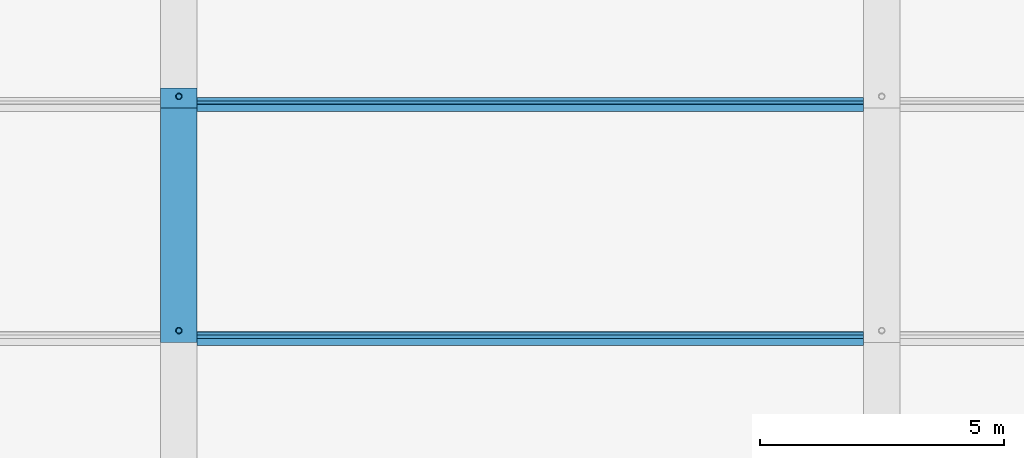
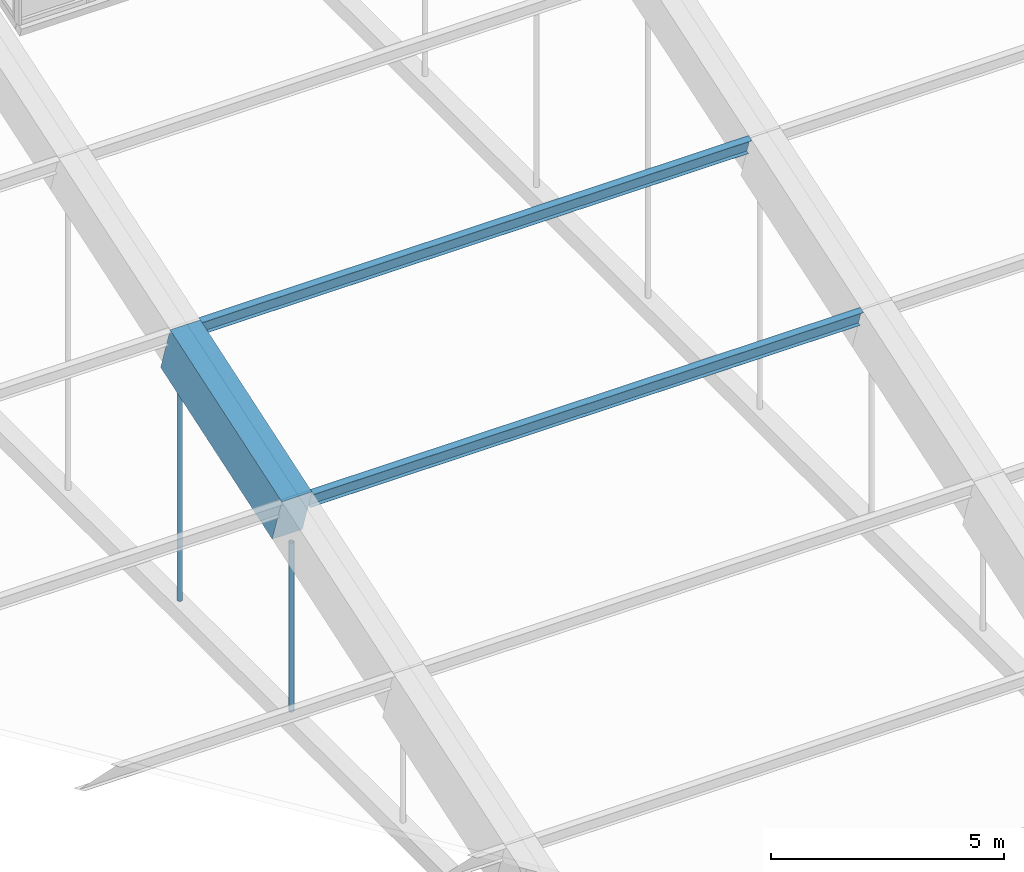
# One storey, part 17 of 149: 4 members, 1 beam.
"""IFC4 building model written with IfcOpenShell, lengths in metres."""

from ifc_helpers import new_model, si_unit, direction, frame, origin, origin_2d, place, context, subcontext, project, spatial, rectangle, hollow_circle, i_section, extrude, material, material_profile, profile_set, type_object, element, save


model = new_model("IFC4")

# Units and contexts
model_context = context("Model", 3, precision=1e-05, world=origin(), true_north=direction((0.0, 1.0)))
body_context = subcontext(model_context, "Body", "Model", "MODEL_VIEW")
ifc_project = project(units=[si_unit("LENGTHUNIT", "METRE"), si_unit("AREAUNIT", "SQUARE_METRE"), si_unit("VOLUMEUNIT", "CUBIC_METRE"), si_unit("PLANEANGLEUNIT", "RADIAN"), si_unit("MASSUNIT", "GRAM", prefix="KILO")], contexts=[model_context])

# Site, building, storey
site_placement = place(None, origin())
site = spatial("IfcSite", under=ifc_project, at=site_placement, CompositionType="ELEMENT")
building_placement = place(site_placement, origin())
building = spatial("IfcBuilding", under=site, at=building_placement, Name="Alderwick Market Hall", CompositionType="ELEMENT")
storey_placement = place(building_placement, frame((0.0, 0.0, 9.60009765625)))
storey = spatial("IfcBuildingStorey", under=building, at=storey_placement, Name="L01", CompositionType="ELEMENT", Elevation=9.60009765625)

# Beam
ifc_material_1 = material(Name="Concrete 5000 psi (f'c 35 MPa)", Category="concrete")
ifc_material_profile_1 = material_profile(ifc_material_1, rectangle(XDim=0.75, YDim=1.300048828125, at=origin_2d()), Name="RC 750x1300")
ifc_profile_set_1 = profile_set([ifc_material_profile_1], Name="Concrete 5000 psi (f'c 35 MPa)")
beam_type = type_object("IfcBeamType", Name="R Arch Rib Haunch 750x1300", PredefinedType="BEAM", material=ifc_profile_set_1)
beam_placement = place(storey_placement, frame((93.60009765625, 64.768310546875, 11.494873046875), z_axis=(0.0, 0.948692948114, 0.316198814353), x_axis=(-1.0, 0.0, 0.0)))
element("IfcBeam", 1, at=beam_placement, inside=storey, type_object=beam_type, Name="Arch rib 4 chord 4", PredefinedType="BEAM", context=body_context, shape_type="SweptSolid", body=[
    extrude(rectangle(XDim=0.75, YDim=1.300048828125, at=origin_2d()), origin(), (0.0, 0.0, 1.0), 5.0595703125),
])

# Members
ifc_material_2 = material(Name="Steel ASTM A500 Grade C", Category="steel")
ifc_material_profile_2 = material_profile(ifc_material_2, hollow_circle(Radius=0.0634765625, WallThickness=0.005859375, at=origin_2d()), Name="HSS5.000x0.250")
ifc_profile_set_2 = profile_set([ifc_material_profile_2], Name="Steel ASTM A500 Grade C")
member_type_1 = type_object("IfcMemberType", Name="R Hanger HSS5.000x0.250", PredefinedType="POST", material=ifc_profile_set_2)
member_1_placement = place(storey_placement, frame((93.60009765625, 64.800048828125, 6.35302734375), z_axis=(0.0, 0.0, 1.0), x_axis=(1.0, 0.0, 0.0)))
element("IfcMember", 2, at=member_1_placement, inside=storey, type_object=member_type_1, Name="Arch hanger 4.3", PredefinedType="POST", context=body_context, shape_type="SweptSolid", body=[
    extrude(hollow_circle(Radius=0.0634765625, WallThickness=0.005859375, at=origin_2d()), origin(), (0.0, 0.0, 1.0), 4.446044921875),
])
member_2_placement = place(storey_placement, frame((93.60009765625, 69.60009765625, 6.35302734375), z_axis=(0.0, 0.0, 1.0), x_axis=(1.0, 0.0, 0.0)))
element("IfcMember", 3, at=member_2_placement, inside=storey, type_object=member_type_1, Name="Arch hanger 4.4", PredefinedType="POST", context=body_context, shape_type="SweptSolid", body=[
    extrude(hollow_circle(Radius=0.0634765625, WallThickness=0.005859375, at=origin_2d()), origin(), (0.0, 0.0, 1.0), 6.0458984375),
])
ifc_material_3 = material(Name="Steel ASTM A992 Grade 50", Category="steel")
ifc_material_profile_3 = material_profile(ifc_material_3, i_section(OverallWidth=0.153076171875, OverallDepth=0.455078125, WebThickness=0.008056640625, FlangeThickness=0.01318359375, at=origin_2d()), Name="W18x40")
ifc_profile_set_3 = profile_set([ifc_material_profile_3], Name="Steel ASTM A992 Grade 50")
member_type_2 = type_object("IfcMemberType", Name="R Purlin W18x40", PredefinedType="PURLIN", material=ifc_profile_set_3)
for number, where, z_axis, x_axis, name in (
    (4, (93.97509765625, 64.63671875, 11.889892578125), (1.0, 0.0, 0.0), (0.0, 0.948683297073, 0.316227768949), "Roof purlin 4.4"),
    (5, (93.97509765625, 69.436767578125, 13.489990234375), (1.0, 0.0, 0.0), (0.0, 0.948683297073, 0.316227768949), "Roof purlin 5.4"),
):
    element("IfcMember", number, at=place(storey_placement, frame(where, z_axis=z_axis, x_axis=x_axis)), inside=storey, type_object=member_type_2, Name=name, PredefinedType="PURLIN", context=body_context, shape_type="SweptSolid", body=[
        extrude(i_section(OverallWidth=0.153076171875, OverallDepth=0.455078125, WebThickness=0.008056640625, FlangeThickness=0.01318359375, at=origin_2d()), origin(), (0.0, 0.0, 1.0), 13.64990234375),
    ])

save(model, "model.ifc")
